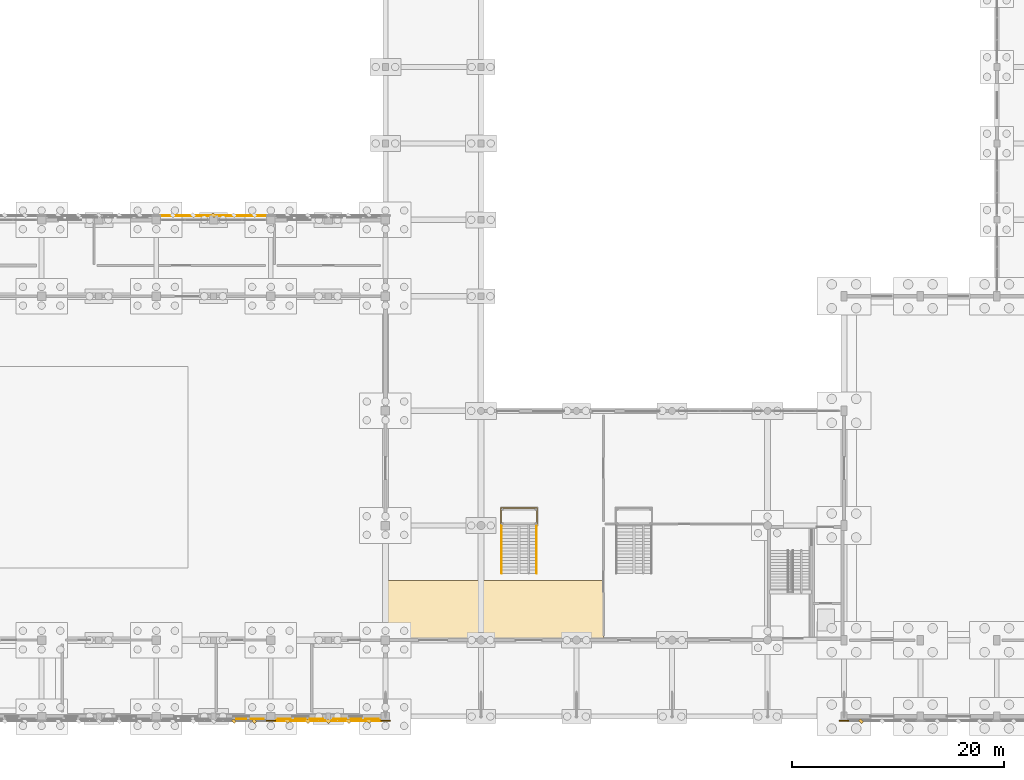
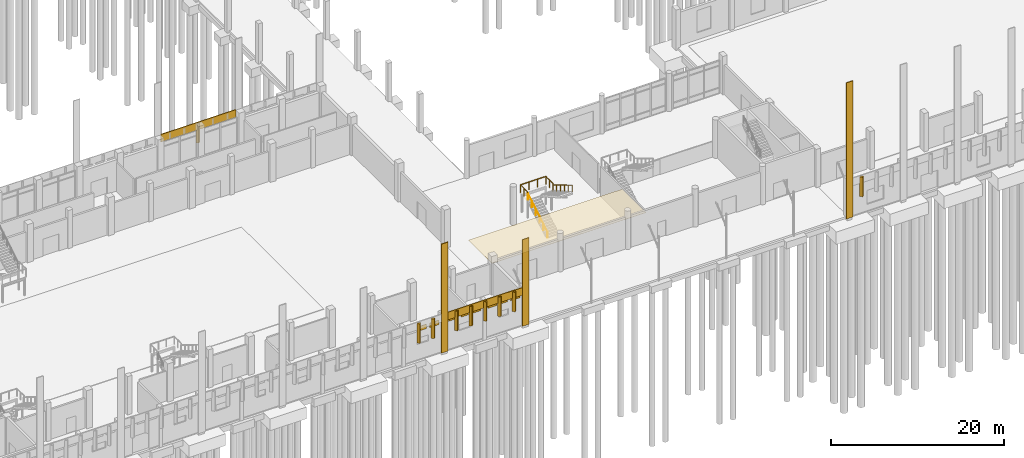
# One storey, part 97 of 109: 23 coverings, 3 railings.
"""IFC4 building model written with IfcOpenShell, lengths in metres."""

import ifcopenshell
import ifcopenshell.guid

model = None  # the IFC model being written
_history = None  # IfcOwnerHistory: only IFC2X3 demands one
_inside = {}  # id of a spatial element -> (the spatial element, [elements in it])
_under = {}  # id of a project, library or spatial element -> (it, [spatial elements below it])
_declared = {}  # id of a project -> (the project, [libraries it declares])
_typed = {}  # id of a type object -> (the type object, [elements of that type])
_made_of = {}  # id of a material, layer set ... -> (it, [elements and type objects made of it])


def new_model(schema):
    """Start an empty IFC model of exactly this schema.

    Asked for "IFC4X3", IfcOpenShell would pick the latest addendum, in which some entities
    have other attributes; the version numbers below select the first issue.
    IFC2X3 requires an IfcOwnerHistory on every rooted entity: one is made here for all.
    """
    global model, _history
    if schema == "IFC4X3":
        model = ifcopenshell.file(schema_version=(4, 3, 0, 0))
    else:
        model = ifcopenshell.file(schema=schema)
    _inside.clear()
    _under.clear()
    _declared.clear()
    _typed.clear()
    _made_of.clear()
    _history = None
    if model.schema == "IFC2X3":
        org = make("IfcOrganization", Name="unknown")
        user = make(
            "IfcPersonAndOrganization",
            ThePerson=make("IfcPerson", FamilyName="unknown"),
            TheOrganization=org,
        )
        app = make(
            "IfcApplication",
            ApplicationDeveloper=org,
            Version="unknown",
            ApplicationFullName="unknown",
            ApplicationIdentifier="unknown",
        )
        _history = make(
            "IfcOwnerHistory",
            OwningUser=user,
            OwningApplication=app,
            ChangeAction="ADDED",
            CreationDate=0,
        )
    return model


def make(cls, **values):
    """One entity of the class cls with the attributes given. An attribute that is None is left unset."""
    return model.create_entity(
        cls, **{name: value for name, value in values.items() if value is not None}
    )


def rooted(cls, **values):
    """An entity with a GlobalId (a new one), such as an element, a storey or a relation."""
    return make(cls, GlobalId=ifcopenshell.guid.new(), OwnerHistory=_history, **values)


def si_unit(unit_type, name, prefix=None):
    """IfcSIUnit, for example si_unit("LENGTHUNIT", "METRE", prefix="MILLI")."""
    return make("IfcSIUnit", UnitType=unit_type, Prefix=prefix, Name=name)


def assignment(units):
    """IfcUnitAssignment: the units of a project."""
    return None if units is None else make("IfcUnitAssignment", Units=units)


def point(xyz):
    """IfcCartesianPoint."""
    return None if xyz is None else make("IfcCartesianPoint", Coordinates=xyz)


def direction(xyz):
    """IfcDirection."""
    return None if xyz is None else make("IfcDirection", DirectionRatios=xyz)


def frame(location, z_axis=None, x_axis=None):
    """IfcAxis2Placement3D, a coordinate frame: its origin and axes. An axis left out is left unset."""
    return make(
        "IfcAxis2Placement3D",
        Location=point(location),
        Axis=direction(z_axis),
        RefDirection=direction(x_axis),
    )


def frame_2d(location, x_axis=None):
    """IfcAxis2Placement2D, a coordinate frame in the plane: its origin and x axis."""
    return make(
        "IfcAxis2Placement2D", Location=point(location), RefDirection=direction(x_axis)
    )


def origin():
    """The frame at (0, 0, 0) with its axes left unset."""
    return frame((0.0, 0.0, 0.0))


def origin_2d():
    """The frame at (0, 0) in the plane with its x axis left unset."""
    return frame_2d((0.0, 0.0))


def place(relative_to, where):
    """IfcLocalPlacement: puts the frame where relative to a parent placement (None: the world)."""
    return make(
        "IfcLocalPlacement", PlacementRelTo=relative_to, RelativePlacement=where
    )


def context(
    kind, dimensions, precision=None, world=None, true_north=None, identifier=None
):
    """IfcGeometricRepresentationContext, for example the 3D "Model" context."""
    return make(
        "IfcGeometricRepresentationContext",
        ContextIdentifier=identifier,
        ContextType=kind,
        CoordinateSpaceDimension=dimensions,
        Precision=precision,
        WorldCoordinateSystem=world,
        TrueNorth=true_north,
    )


def subcontext(parent, identifier, kind, view, scale=None):
    """IfcGeometricRepresentationSubContext, for example "Body" below "Model"."""
    return make(
        "IfcGeometricRepresentationSubContext",
        ContextIdentifier=identifier,
        ContextType=kind,
        ParentContext=parent,
        TargetScale=scale,
        TargetView=view,
    )


def project(units=None, contexts=None):
    """IfcProject with its units and contexts."""
    return rooted(
        "IfcProject",
        Name="project",
        RepresentationContexts=contexts,
        UnitsInContext=assignment(units),
    )


def spatial(cls, under=None, at=None, **own):
    """A site, building, storey or space (cls), placed at a placement, below another one or the project."""
    s = rooted(cls, ObjectPlacement=at, **own)
    if under is not None:
        _under.setdefault(under.id(), (under, []))[1].append(s)
    return s


def polyline(points):
    """IfcPolyline through the points."""
    return make("IfcPolyline", Points=[point(p) for p in points])


def profile(cls, at=None, kind="AREA", **sizes):
    """A parametric profile (cls). Its sizes go by their IFC names, for example OverallWidth=200.0."""
    return make(cls, ProfileType=kind, Position=at, **sizes)


def rectangle(**sizes):
    """IfcRectangleProfileDef."""
    return profile("IfcRectangleProfileDef", **sizes)


def circle(**sizes):
    """IfcCircleProfileDef."""
    return profile("IfcCircleProfileDef", **sizes)


def outline(outer, holes=None, kind="AREA"):
    """IfcArbitraryClosedProfileDef: a profile drawn as a closed curve; with holes, ...WithVoids."""
    if holes is None:
        return make("IfcArbitraryClosedProfileDef", ProfileType=kind, OuterCurve=outer)
    return make(
        "IfcArbitraryProfileDefWithVoids",
        ProfileType=kind,
        OuterCurve=outer,
        InnerCurves=holes,
    )


def extrude(swept, where, along, depth):
    """IfcExtrudedAreaSolid: the profile swept, set in the frame where, extruded along a direction by depth."""
    return make(
        "IfcExtrudedAreaSolid",
        SweptArea=swept,
        Position=where,
        ExtrudedDirection=direction(along),
        Depth=depth,
    )


def shape(context_of_items, identifier, shape_type, items):
    """IfcShapeRepresentation: the items that make up one representation, for example the "Body"."""
    return make(
        "IfcShapeRepresentation",
        ContextOfItems=context_of_items,
        RepresentationIdentifier=identifier,
        RepresentationType=shape_type,
        Items=items,
    )


def material(Name=None, Category=None):
    """IfcMaterial."""
    return make("IfcMaterial", Name=Name, Category=Category)


def layer(
    of_material, thickness, ventilated=None, Name=None, Category=None, Priority=None
):
    """IfcMaterialLayer: one layer of a wall or slab, of a material (None: an air gap)."""
    return make(
        "IfcMaterialLayer",
        Material=of_material,
        LayerThickness=thickness,
        IsVentilated=ventilated,
        Name=Name,
        Category=Category,
        Priority=Priority,
    )


def layer_set(layers, Name=None):
    """IfcMaterialLayerSet."""
    return make("IfcMaterialLayerSet", MaterialLayers=layers, LayerSetName=Name)


def made_of(thing, what):
    """Note that an element or type object is made of a material, layer set ...; save() writes the relation."""
    if what is not None:
        _made_of.setdefault(what.id(), (what, []))[1].append(thing)
    return thing


def type_object(cls, material=None, **own):
    """A type object (cls), such as IfcWallType, which elements share."""
    return made_of(rooted(cls, **own), material)


def element(
    cls,
    number,
    at=None,
    inside=None,
    cuts=None,
    type_object=None,
    material=None,
    context=None,
    identifier="Body",
    shape_type=None,
    held_by="IfcProductDefinitionShape",
    body=None,
    shapes=None,
    **own,
):
    """One element of the class cls, such as IfcWall. Its Tag is "e" and its number.

    at: its placement. inside: the storey or other place that contains it. cuts: it is an
    opening in that element (IfcRelVoidsElement). A single representation is given by context,
    identifier, shape_type and body (its items); several are given by shapes. held_by: the class
    of the entity that holds the representations. save() writes the other relations.
    """
    e = rooted(cls, Tag="e%d" % number, ObjectPlacement=at, **own)
    if body is not None:
        shapes = [shape(context, identifier, shape_type, body)]
    if shapes is not None:
        e.Representation = make(held_by, Representations=shapes)
    if inside is not None:
        _inside.setdefault(inside.id(), (inside, []))[1].append(e)
    if cuts is not None:
        rooted(
            "IfcRelVoidsElement", RelatingBuildingElement=cuts, RelatedOpeningElement=e
        )
    if type_object is not None:
        _typed.setdefault(type_object.id(), (type_object, []))[1].append(e)
    return made_of(e, material)


def aggregate(whole, parts):
    """IfcRelAggregates: a whole, such as a stair, and the parts it consists of."""
    return rooted("IfcRelAggregates", RelatingObject=whole, RelatedObjects=parts)


def save(model, path):
    """Write the relations noted so far, then the file.

    IfcRelAggregates (storeys below a building ...), IfcRelContainedInSpatialStructure (elements
    in a storey), IfcRelDefinesByType, IfcRelAssociatesMaterial and IfcRelDeclares: one each for
    every whole, place, type object, material and project.
    """
    for whole, parts in _under.values():
        aggregate(whole, parts)
    for where, things in _inside.values():
        rooted(
            "IfcRelContainedInSpatialStructure",
            RelatedElements=things,
            RelatingStructure=where,
        )
    for kind, things in _typed.values():
        rooted("IfcRelDefinesByType", RelatedObjects=things, RelatingType=kind)
    for what, things in _made_of.values():
        rooted("IfcRelAssociatesMaterial", RelatedObjects=things, RelatingMaterial=what)
    for by, libraries in _declared.values():
        rooted("IfcRelDeclares", RelatingContext=by, RelatedDefinitions=libraries)
    model.write(path)


model = new_model("IFC4")

# Units and contexts
model_context = context("Model", 3, precision=1e-05, world=origin(), true_north=direction((0.0, 1.0)))
body_context = subcontext(model_context, "Body", "Model", "MODEL_VIEW")
ifc_project = project(units=[si_unit("LENGTHUNIT", "METRE"), si_unit("AREAUNIT", "SQUARE_METRE"), si_unit("VOLUMEUNIT", "CUBIC_METRE"), si_unit("PLANEANGLEUNIT", "RADIAN"), si_unit("MASSUNIT", "GRAM", prefix="KILO")], contexts=[model_context])

# Site, building, storey
site_placement = place(None, origin())
site = spatial("IfcSite", under=ifc_project, at=site_placement, CompositionType="ELEMENT")
building_placement = place(site_placement, origin())
building = spatial("IfcBuilding", under=site, at=building_placement, Name="Lusvemor Sports Hall", CompositionType="ELEMENT")
storey_placement = place(building_placement, origin())
storey = spatial("IfcBuildingStorey", under=building, at=storey_placement, Name="L00", CompositionType="ELEMENT", Elevation=0.0)

# Coverings
ifc_material_1 = material(Name="Precast granite-faced Concrete C40/50 architectural cladding", Category="masonry")
ifc_layer_1 = layer(ifc_material_1, 0.055908203125)
ifc_layer_set_1 = layer_set([ifc_layer_1], Name="Precast granite-faced Concrete C40/50 architectural cladding")
covering_type_1 = type_object("IfcCoveringType", Name="CLAD_RELIEF_FRIEZE", PredefinedType="CLADDING", material=ifc_layer_set_1)
covering_1_placement = place(storey_placement, frame((64.800048828125, -0.409912109375, 0.0), z_axis=(0.0, 0.0, 1.0), x_axis=(1.0, 0.0, 0.0)))
element("IfcCovering", 1, at=covering_1_placement, inside=storey, type_object=covering_type_1, Name="Art Nouveau Pilaster Cladding Casing 7", PredefinedType="CLADDING", context=body_context, shape_type="SweptSolid", body=[
    extrude(rectangle(XDim=0.8798828125, YDim=0.10009765625, at=origin_2d()), origin(), (0.0, 0.0, 1.0), 15.37548828125),
])
covering_2_placement = place(storey_placement, frame((75.60009765625, -0.409912109375, 0.0), z_axis=(0.0, 0.0, 1.0), x_axis=(1.0, 0.0, 0.0)))
element("IfcCovering", 2, at=covering_2_placement, inside=storey, type_object=covering_type_1, Name="Art Nouveau Pilaster Cladding Casing 8", PredefinedType="CLADDING", context=body_context, shape_type="SweptSolid", body=[
    extrude(rectangle(XDim=0.8798828125, YDim=0.10009765625, at=origin_2d()), origin(), (0.0, 0.0, 1.0), 12.219970703125),
])
covering_3_placement = place(storey_placement, frame((118.800048828125, -0.409912109375, 0.0), z_axis=(0.0, 0.0, 1.0), x_axis=(1.0, 0.0, 0.0)))
element("IfcCovering", 3, at=covering_3_placement, inside=storey, type_object=covering_type_1, Name="Art Nouveau Pilaster Cladding Casing 136", PredefinedType="CLADDING", context=body_context, shape_type="SweptSolid", body=[
    extrude(rectangle(XDim=0.8798828125, YDim=0.10009765625, at=origin_2d()), origin(), (0.0, 0.0, 1.0), 19.199951171875),
])
ifc_material_2 = material(Name="Emerald polychrome glazed ceramic cladding on Concrete C40/50 backing", Category="concrete")
ifc_layer_2 = layer(ifc_material_2, 0.0458984375)
ifc_layer_set_2 = layer_set([ifc_layer_2], Name="Emerald polychrome glazed ceramic cladding on Concrete C40/50 backing")
covering_type_2 = type_object("IfcCoveringType", Name="CLAD_WAVE_EMERALD", PredefinedType="CLADDING", material=ifc_layer_set_2)
for number, where, z_axis, x_axis, name in (
    (4, (63.530029296875, -0.218017578125, 3.97998046875), (0.0, 0.0, 1.0), (1.0, 0.0, 0.0), "Art Nouveau Patterned Cladding PS-V1S0-5-2-3"),
    (5, (66.070068359375, -0.218017578125, 3.97998046875), (0.0, 0.0, 1.0), (1.0, 0.0, 0.0), "Art Nouveau Patterned Cladding PS-V1S0-6-1-1"),
    (6, (69.110107421875, -0.218017578125, 3.97998046875), (0.0, 0.0, 1.0), (1.0, 0.0, 0.0), "Art Nouveau Patterned Cladding PS-V1S0-6-1-3"),
    (7, (71.2900390625, -0.218017578125, 3.97998046875), (0.0, 0.0, 1.0), (1.0, 0.0, 0.0), "Art Nouveau Patterned Cladding PS-V1S0-6-2-1"),
    (8, (74.330078125, -0.218017578125, 3.97998046875), (0.0, 0.0, 1.0), (1.0, 0.0, 0.0), "Art Nouveau Patterned Cladding PS-V1S0-6-2-3"),
):
    element("IfcCovering", number, at=place(storey_placement, frame(where, z_axis=z_axis, x_axis=x_axis)), inside=storey, type_object=covering_type_2, Name=name, PredefinedType="CLADDING", context=body_context, shape_type="SweptSolid", body=[
        extrude(rectangle(XDim=1.246337890625, YDim=0.0458984375, at=origin_2d()), origin(), (0.0, 0.0, 1.0), 0.64990234375),
    ])
for number, where, z_axis, x_axis, name in (
    (9, (61.320068359375, -0.43994140625, 2.550048828125), (0.0, 0.0, 1.0), (0.707106781187, 0.707106781187, 0.0), "Patterned Diamond Cladding Rib 103"),
    (10, (68.280029296875, -0.43994140625, 2.550048828125), (0.0, 0.0, 1.0), (0.707106781187, 0.707106781187, 0.0), "Patterned Diamond Cladding Rib 119"),
    (11, (72.1201171875, -0.43994140625, 2.550048828125), (0.0, 0.0, 1.0), (0.707106781187, 0.707106781187, 0.0), "Patterned Diamond Cladding Rib 121"),
):
    element("IfcCovering", number, at=place(storey_placement, frame(where, z_axis=z_axis, x_axis=x_axis)), inside=storey, type_object=covering_type_2, Name=name, PredefinedType="CLADDING", context=body_context, shape_type="SweptSolid", body=[
        extrude(rectangle(XDim=0.280029296875, YDim=0.3798828125, at=origin_2d()), origin(), (0.0, 0.0, 1.0), 2.75),
    ])
ifc_material_3 = material(Name="Warm terracotta Art Nouveau ceramic cladding on Concrete C40/50 backing", Category="masonry")
ifc_layer_3 = layer(ifc_material_3, 0.0380859375)
ifc_layer_set_3 = layer_set([ifc_layer_3], Name="Warm terracotta Art Nouveau ceramic cladding on Concrete C40/50 backing")
covering_type_3 = type_object("IfcCoveringType", Name="CLAD_WAVE_OCHRE", PredefinedType="CLADDING", material=ifc_layer_set_3)
for number, where, z_axis, x_axis, name in (
    (12, (62.010009765625, -0.214111328125, 3.97998046875), (0.0, 0.0, 1.0), (1.0, 0.0, 0.0), "Art Nouveau Patterned Cladding PS-V1S0-5-2-2"),
    (13, (67.590087890625, -0.214111328125, 3.97998046875), (0.0, 0.0, 1.0), (1.0, 0.0, 0.0), "Art Nouveau Patterned Cladding PS-V1S0-6-1-2"),
    (14, (72.81005859375, -0.214111328125, 3.97998046875), (0.0, 0.0, 1.0), (1.0, 0.0, 0.0), "Art Nouveau Patterned Cladding PS-V1S0-6-2-2"),
):
    element("IfcCovering", number, at=place(storey_placement, frame(where, z_axis=z_axis, x_axis=x_axis)), inside=storey, type_object=covering_type_3, Name=name, PredefinedType="CLADDING", context=body_context, shape_type="SweptSolid", body=[
        extrude(rectangle(XDim=0.972900390625, YDim=0.0380859375, at=origin_2d()), origin(), (0.0, 0.0, 1.0), 0.64990234375),
    ])
for number, where, z_axis, x_axis, name in (
    (15, (70.199951171875, -0.389892578125, 4.3798828125), (0.0, 0.0, 1.0), (1.0, 0.0, 0.0), "Art Nouveau Spandrel Cornice 117"),
    (16, (59.39990234375, 47.18994140625, 4.3798828125), (0.0, 0.0, 1.0), (1.0, 0.0, 0.0), "Art Nouveau Spandrel Cornice 1532"),
):
    element("IfcCovering", number, at=place(storey_placement, frame(where, z_axis=z_axis, x_axis=x_axis)), inside=storey, type_object=covering_type_3, Name=name, PredefinedType="CLADDING", context=body_context, shape_type="SweptSolid", body=[
        extrude(rectangle(XDim=9.97998046875, YDim=0.090087890625, at=origin_2d()), origin(), (0.0, 0.0, 1.0), 1.080078125),
    ])
ifc_material_4 = material(Name="Perforated mineral-fibre acoustic suspended ceiling")
ifc_layer_4 = layer(ifc_material_4, 0.033935546875)
ifc_layer_set_4 = layer_set([ifc_layer_4], Name="Perforated mineral-fibre acoustic suspended ceiling")
covering_type_4 = type_object("IfcCoveringType", Name="COV_CEIL_ACOUST", PredefinedType="CEILING", material=ifc_layer_set_4)
covering_4_placement = place(storey_placement, frame((0.0, 0.0, 3.949951171875)))
element("IfcCovering", 17, at=covering_4_placement, inside=storey, type_object=covering_type_4, Name="Acoustic Ceiling 6", PredefinedType="CEILING", context=body_context, shape_type="SweptSolid", body=[
    extrude(outline(polyline([(75.60009765625, 7.35009765625), (96.14990234375, 7.35009765625), (96.14990234375, 12.800048828125), (75.60009765625, 12.800048828125), (75.60009765625, 7.35009765625)])), origin(), (0.0, 0.0, 1.0), 0.033935546875),
])
ifc_material_5 = material(Name="Warm terracotta Art Nouveau ceramic cladding on Concrete C40/50 backing", Category="masonry")
ifc_layer_5 = layer(ifc_material_5, 0.449951171875)
ifc_layer_set_5 = layer_set([ifc_layer_5], Name="Warm terracotta Art Nouveau ceramic cladding on Concrete C40/50 backing")
covering_type_5 = type_object("IfcCoveringType", Name="FIN_BRISE_CER_450", PredefinedType="MOLDING", material=ifc_layer_set_5)
for number, where, z_axis, x_axis, name in (
    (18, (63.239990234375, -0.43994140625, 2.550048828125), (0.0, 0.0, 1.0), (0.707106781187, 0.707106781187, 0.0), "Patterned Diamond Cladding Rib 104"),
    (19, (66.360107421875, -0.43994140625, 2.550048828125), (0.0, 0.0, 1.0), (0.707106781187, 0.707106781187, 0.0), "Patterned Diamond Cladding Rib 118"),
    (20, (70.199951171875, -0.43994140625, 2.550048828125), (0.0, 0.0, 1.0), (0.707106781187, 0.707106781187, 0.0), "Patterned Diamond Cladding Rib 120"),
    (21, (74.0400390625, -0.43994140625, 2.550048828125), (0.0, 0.0, 1.0), (0.707106781187, 0.707106781187, 0.0), "Patterned Diamond Cladding Rib 122"),
    (22, (120.39990234375, -0.43994140625, 2.550048828125), (0.0, 0.0, 1.0), (0.707106781187, 0.707106781187, 0.0), "Patterned Diamond Cladding Rib 145"),
    (23, (59.39990234375, 47.239990234375, 2.550048828125), (0.0, 0.0, 1.0), (0.707106781187, 0.707106781187, 0.0), "Patterned Diamond Cladding Rib 1535"),
):
    element("IfcCovering", number, at=place(storey_placement, frame(where, z_axis=z_axis, x_axis=x_axis)), inside=storey, type_object=covering_type_5, Name=name, PredefinedType="MOLDING", context=body_context, shape_type="SweptSolid", body=[
        extrude(rectangle(XDim=0.280029296875, YDim=0.3798828125, at=origin_2d()), origin(), (0.0, 0.0, 1.0), 2.75),
    ])

# Railings
ifc_material_6 = material(Name="Bronze-finished wrought-steel Art Nouveau balustrade", Category="steel")
railing_type_1 = type_object("IfcRailingType", Name="RAIL_HANDRAIL_092", PredefinedType="HANDRAIL", material=ifc_material_6)
railing_1_placement = place(storey_placement, frame((86.550048828125, 13.5, 0.0)))
element("IfcRailing", 24, at=railing_1_placement, inside=storey, type_object=railing_type_1, Name="STR-FOY-W Handrail F1", PredefinedType="HANDRAIL", context=body_context, shape_type="SweptSolid", body=[
    extrude(circle(Radius=0.02392578125, at=origin_2d()), frame((0.0, 0.0, 0.89599609375), z_axis=(0.0, 0.857497030584, 0.514488913912), x_axis=(-1.0, 0.0, 0.0)), (0.0, 0.0, 1.0), 5.247802734375),
    extrude(circle(Radius=0.02099609375, at=origin_2d()), origin(), (0.0, 0.0, 1.0), 0.871826171875),
    extrude(circle(Radius=0.02099609375, at=origin_2d()), frame((0.0, 0.89990234375, 0.5400390625)), (0.0, 0.0, 1.0), 0.871826171875),
    extrude(circle(Radius=0.02099609375, at=origin_2d()), frame((0.0, 1.800048828125, 1.080078125)), (0.0, 0.0, 1.0), 0.871826171875),
    extrude(circle(Radius=0.02099609375, at=origin_2d()), frame((0.0, 2.699951171875, 1.619873046875)), (0.0, 0.0, 1.0), 0.871826171875),
    extrude(circle(Radius=0.02099609375, at=origin_2d()), frame((0.0, 3.60009765625, 2.159912109375)), (0.0, 0.0, 1.0), 0.871826171875),
    extrude(circle(Radius=0.02099609375, at=origin_2d()), frame((0.0, 4.5, 2.699951171875)), (0.0, 0.0, 1.0), 0.871826171875),
])
railing_2_placement = place(storey_placement, frame((89.85009765625, 18.0, 2.699951171875)))
element("IfcRailing", 25, at=railing_2_placement, inside=storey, type_object=railing_type_1, Name="STR-FOY-W Handrail F2", PredefinedType="HANDRAIL", context=body_context, shape_type="SweptSolid", body=[
    extrude(circle(Radius=0.02392578125, at=origin_2d()), frame((0.0, 0.0, 0.89599609375), z_axis=(0.0, -0.857497030584, 0.514488913912), x_axis=(1.0, 0.0, 0.0)), (0.0, 0.0, 1.0), 5.247802734375),
    extrude(circle(Radius=0.02099609375, at=origin_2d()), origin(), (0.0, 0.0, 1.0), 0.871826171875),
    extrude(circle(Radius=0.02099609375, at=origin_2d()), frame((0.0, -0.89990234375, 0.5400390625)), (0.0, 0.0, 1.0), 0.871826171875),
    extrude(circle(Radius=0.02099609375, at=origin_2d()), frame((0.0, -1.800048828125, 1.080078125)), (0.0, 0.0, 1.0), 0.871826171875),
    extrude(circle(Radius=0.02099609375, at=origin_2d()), frame((0.0, -2.699951171875, 1.619873046875)), (0.0, 0.0, 1.0), 0.871826171875),
    extrude(circle(Radius=0.02099609375, at=origin_2d()), frame((0.0, -3.60009765625, 2.159912109375)), (0.0, 0.0, 1.0), 0.871826171875),
    extrude(circle(Radius=0.02099609375, at=origin_2d()), frame((0.0, -4.5, 2.699951171875)), (0.0, 0.0, 1.0), 0.871826171875),
])
ifc_material_7 = material(Name="Bronze-finished wrought-steel Art Nouveau balustrade", Category="steel")
railing_type_2 = type_object("IfcRailingType", Name="RAIL_STAIR_GUARD_112", PredefinedType="GUARDRAIL", material=ifc_material_7)
railing_3_placement = place(storey_placement, frame((86.5, 18.0400390625, 2.699951171875)))
element("IfcRailing", 26, at=railing_3_placement, inside=storey, type_object=railing_type_2, Name="STR-FOY-W Mid Guard", PredefinedType="GUARDRAIL", context=body_context, shape_type="SweptSolid", body=[
    extrude(circle(Radius=0.02392578125, at=origin_2d()), frame((0.0, 0.0, 1.09619140625), z_axis=(0.0, 1.0, 0.0), x_axis=(-1.0, 0.0, 0.0)), (0.0, 0.0, 1.0), 1.619873046875),
    extrude(circle(Radius=0.02392578125, at=origin_2d()), frame((0.0, 1.619873046875, 1.09619140625), z_axis=(1.0, 0.0, 0.0), x_axis=(0.0, 1.0, 0.0)), (0.0, 0.0, 1.0), 3.39990234375),
    extrude(circle(Radius=0.02392578125, at=origin_2d()), frame((3.39990234375, 1.619873046875, 1.09619140625), z_axis=(0.0, -1.0, 0.0), x_axis=(1.0, 0.0, 0.0)), (0.0, 0.0, 1.0), 1.619873046875),
    extrude(circle(Radius=0.02099609375, at=origin_2d()), origin(), (0.0, 0.0, 1.0), 1.072021484375),
    extrude(circle(Radius=0.02099609375, at=origin_2d()), frame((0.0, 0.81005859375, 0.0)), (0.0, 0.0, 1.0), 1.072021484375),
    extrude(circle(Radius=0.02099609375, at=origin_2d()), frame((0.0, 1.619873046875, 0.0)), (0.0, 0.0, 1.0), 1.072021484375),
    extrude(circle(Radius=0.02099609375, at=origin_2d()), frame((1.13330078125, 1.619873046875, 0.0)), (0.0, 0.0, 1.0), 1.072021484375),
    extrude(circle(Radius=0.02099609375, at=origin_2d()), frame((2.2666015625, 1.619873046875, 0.0)), (0.0, 0.0, 1.0), 1.072021484375),
    extrude(circle(Radius=0.02099609375, at=origin_2d()), frame((3.39990234375, 1.619873046875, 0.0)), (0.0, 0.0, 1.0), 1.072021484375),
    extrude(circle(Radius=0.02099609375, at=origin_2d()), frame((3.39990234375, 0.81005859375, 0.0)), (0.0, 0.0, 1.0), 1.072021484375),
    extrude(circle(Radius=0.02099609375, at=origin_2d()), frame((3.39990234375, 0.0, 0.0)), (0.0, 0.0, 1.0), 1.072021484375),
])

save(model, "model.ifc")
